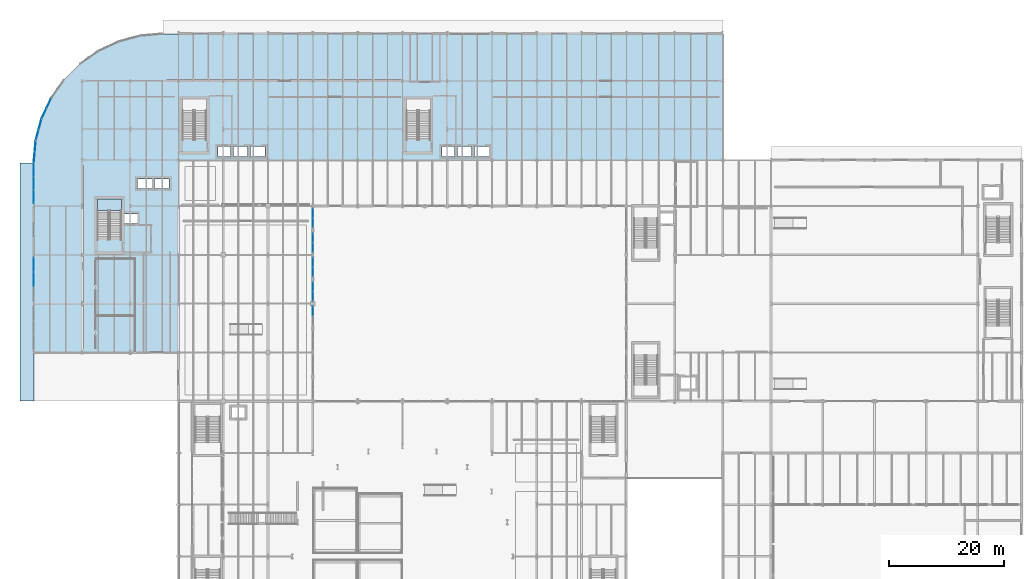
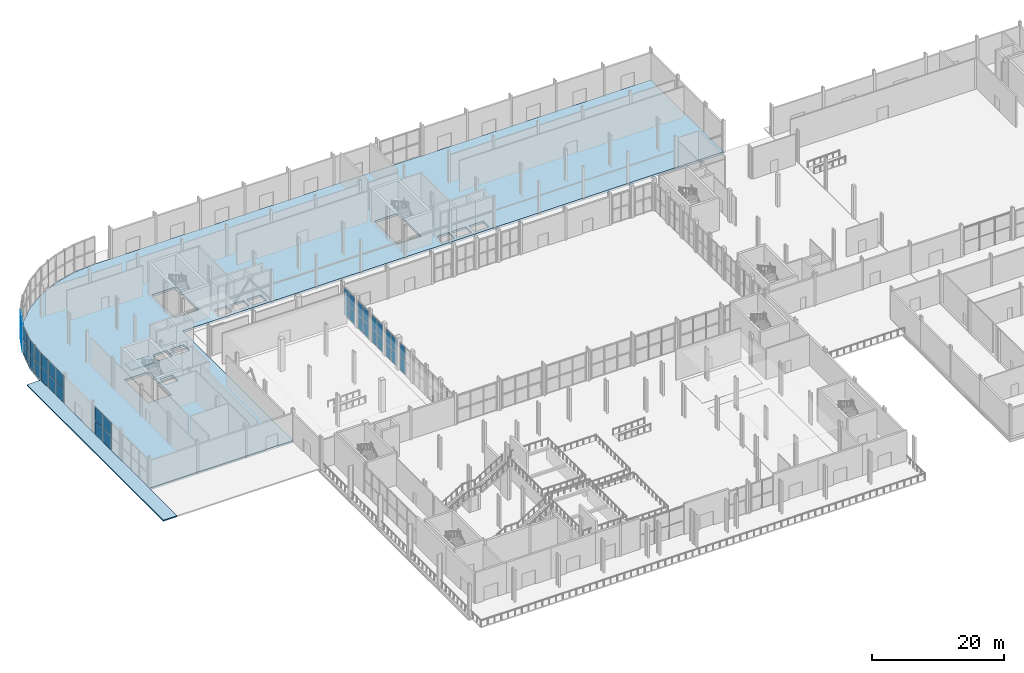
# One storey, part 48 of 84: 40 plates, 3 slabs, 11 elements without a shape of their own.
"""IFC4 building model written with IfcOpenShell, lengths in metres."""

import ifcopenshell
import ifcopenshell.guid

model = None  # the IFC model being written
_history = None  # IfcOwnerHistory: only IFC2X3 demands one
_inside = {}  # id of a spatial element -> (the spatial element, [elements in it])
_under = {}  # id of a project, library or spatial element -> (it, [spatial elements below it])
_declared = {}  # id of a project -> (the project, [libraries it declares])
_typed = {}  # id of a type object -> (the type object, [elements of that type])
_made_of = {}  # id of a material, layer set ... -> (it, [elements and type objects made of it])


def new_model(schema):
    """Start an empty IFC model of exactly this schema.

    Asked for "IFC4X3", IfcOpenShell would pick the latest addendum, in which some entities
    have other attributes; the version numbers below select the first issue.
    IFC2X3 requires an IfcOwnerHistory on every rooted entity: one is made here for all.
    """
    global model, _history
    if schema == "IFC4X3":
        model = ifcopenshell.file(schema_version=(4, 3, 0, 0))
    else:
        model = ifcopenshell.file(schema=schema)
    _inside.clear()
    _under.clear()
    _declared.clear()
    _typed.clear()
    _made_of.clear()
    _history = None
    if model.schema == "IFC2X3":
        org = make("IfcOrganization", Name="unknown")
        user = make(
            "IfcPersonAndOrganization",
            ThePerson=make("IfcPerson", FamilyName="unknown"),
            TheOrganization=org,
        )
        app = make(
            "IfcApplication",
            ApplicationDeveloper=org,
            Version="unknown",
            ApplicationFullName="unknown",
            ApplicationIdentifier="unknown",
        )
        _history = make(
            "IfcOwnerHistory",
            OwningUser=user,
            OwningApplication=app,
            ChangeAction="ADDED",
            CreationDate=0,
        )
    return model


def make(cls, **values):
    """One entity of the class cls with the attributes given. An attribute that is None is left unset."""
    return model.create_entity(
        cls, **{name: value for name, value in values.items() if value is not None}
    )


def rooted(cls, **values):
    """An entity with a GlobalId (a new one), such as an element, a storey or a relation."""
    return make(cls, GlobalId=ifcopenshell.guid.new(), OwnerHistory=_history, **values)


def si_unit(unit_type, name, prefix=None):
    """IfcSIUnit, for example si_unit("LENGTHUNIT", "METRE", prefix="MILLI")."""
    return make("IfcSIUnit", UnitType=unit_type, Prefix=prefix, Name=name)


def assignment(units):
    """IfcUnitAssignment: the units of a project."""
    return None if units is None else make("IfcUnitAssignment", Units=units)


def point(xyz):
    """IfcCartesianPoint."""
    return None if xyz is None else make("IfcCartesianPoint", Coordinates=xyz)


def direction(xyz):
    """IfcDirection."""
    return None if xyz is None else make("IfcDirection", DirectionRatios=xyz)


def frame(location, z_axis=None, x_axis=None):
    """IfcAxis2Placement3D, a coordinate frame: its origin and axes. An axis left out is left unset."""
    return make(
        "IfcAxis2Placement3D",
        Location=point(location),
        Axis=direction(z_axis),
        RefDirection=direction(x_axis),
    )


def frame_2d(location, x_axis=None):
    """IfcAxis2Placement2D, a coordinate frame in the plane: its origin and x axis."""
    return make(
        "IfcAxis2Placement2D", Location=point(location), RefDirection=direction(x_axis)
    )


def origin():
    """The frame at (0, 0, 0) with its axes left unset."""
    return frame((0.0, 0.0, 0.0))


def origin_2d():
    """The frame at (0, 0) in the plane with its x axis left unset."""
    return frame_2d((0.0, 0.0))


def place(relative_to, where):
    """IfcLocalPlacement: puts the frame where relative to a parent placement (None: the world)."""
    return make(
        "IfcLocalPlacement", PlacementRelTo=relative_to, RelativePlacement=where
    )


def context(
    kind, dimensions, precision=None, world=None, true_north=None, identifier=None
):
    """IfcGeometricRepresentationContext, for example the 3D "Model" context."""
    return make(
        "IfcGeometricRepresentationContext",
        ContextIdentifier=identifier,
        ContextType=kind,
        CoordinateSpaceDimension=dimensions,
        Precision=precision,
        WorldCoordinateSystem=world,
        TrueNorth=true_north,
    )


def subcontext(parent, identifier, kind, view, scale=None):
    """IfcGeometricRepresentationSubContext, for example "Body" below "Model"."""
    return make(
        "IfcGeometricRepresentationSubContext",
        ContextIdentifier=identifier,
        ContextType=kind,
        ParentContext=parent,
        TargetScale=scale,
        TargetView=view,
    )


def project(units=None, contexts=None):
    """IfcProject with its units and contexts."""
    return rooted(
        "IfcProject",
        Name="project",
        RepresentationContexts=contexts,
        UnitsInContext=assignment(units),
    )


def spatial(cls, under=None, at=None, **own):
    """A site, building, storey or space (cls), placed at a placement, below another one or the project."""
    s = rooted(cls, ObjectPlacement=at, **own)
    if under is not None:
        _under.setdefault(under.id(), (under, []))[1].append(s)
    return s


def polyline(points):
    """IfcPolyline through the points."""
    return make("IfcPolyline", Points=[point(p) for p in points])


def profile(cls, at=None, kind="AREA", **sizes):
    """A parametric profile (cls). Its sizes go by their IFC names, for example OverallWidth=200.0."""
    return make(cls, ProfileType=kind, Position=at, **sizes)


def rectangle(**sizes):
    """IfcRectangleProfileDef."""
    return profile("IfcRectangleProfileDef", **sizes)


def outline(outer, holes=None, kind="AREA"):
    """IfcArbitraryClosedProfileDef: a profile drawn as a closed curve; with holes, ...WithVoids."""
    if holes is None:
        return make("IfcArbitraryClosedProfileDef", ProfileType=kind, OuterCurve=outer)
    return make(
        "IfcArbitraryProfileDefWithVoids",
        ProfileType=kind,
        OuterCurve=outer,
        InnerCurves=holes,
    )


def extrude(swept, where, along, depth):
    """IfcExtrudedAreaSolid: the profile swept, set in the frame where, extruded along a direction by depth."""
    return make(
        "IfcExtrudedAreaSolid",
        SweptArea=swept,
        Position=where,
        ExtrudedDirection=direction(along),
        Depth=depth,
    )


def shape(context_of_items, identifier, shape_type, items):
    """IfcShapeRepresentation: the items that make up one representation, for example the "Body"."""
    return make(
        "IfcShapeRepresentation",
        ContextOfItems=context_of_items,
        RepresentationIdentifier=identifier,
        RepresentationType=shape_type,
        Items=items,
    )


def material(Name=None, Category=None):
    """IfcMaterial."""
    return make("IfcMaterial", Name=Name, Category=Category)


def layer(
    of_material, thickness, ventilated=None, Name=None, Category=None, Priority=None
):
    """IfcMaterialLayer: one layer of a wall or slab, of a material (None: an air gap)."""
    return make(
        "IfcMaterialLayer",
        Material=of_material,
        LayerThickness=thickness,
        IsVentilated=ventilated,
        Name=Name,
        Category=Category,
        Priority=Priority,
    )


def layer_set(layers, Name=None):
    """IfcMaterialLayerSet."""
    return make("IfcMaterialLayerSet", MaterialLayers=layers, LayerSetName=Name)


def made_of(thing, what):
    """Note that an element or type object is made of a material, layer set ...; save() writes the relation."""
    if what is not None:
        _made_of.setdefault(what.id(), (what, []))[1].append(thing)
    return thing


def type_object(cls, material=None, **own):
    """A type object (cls), such as IfcWallType, which elements share."""
    return made_of(rooted(cls, **own), material)


def element(
    cls,
    number,
    at=None,
    inside=None,
    cuts=None,
    type_object=None,
    material=None,
    context=None,
    identifier="Body",
    shape_type=None,
    held_by="IfcProductDefinitionShape",
    body=None,
    shapes=None,
    **own,
):
    """One element of the class cls, such as IfcWall. Its Tag is "e" and its number.

    at: its placement. inside: the storey or other place that contains it. cuts: it is an
    opening in that element (IfcRelVoidsElement). A single representation is given by context,
    identifier, shape_type and body (its items); several are given by shapes. held_by: the class
    of the entity that holds the representations. save() writes the other relations.
    """
    e = rooted(cls, Tag="e%d" % number, ObjectPlacement=at, **own)
    if body is not None:
        shapes = [shape(context, identifier, shape_type, body)]
    if shapes is not None:
        e.Representation = make(held_by, Representations=shapes)
    if inside is not None:
        _inside.setdefault(inside.id(), (inside, []))[1].append(e)
    if cuts is not None:
        rooted(
            "IfcRelVoidsElement", RelatingBuildingElement=cuts, RelatedOpeningElement=e
        )
    if type_object is not None:
        _typed.setdefault(type_object.id(), (type_object, []))[1].append(e)
    return made_of(e, material)


def aggregate(whole, parts):
    """IfcRelAggregates: a whole, such as a stair, and the parts it consists of."""
    return rooted("IfcRelAggregates", RelatingObject=whole, RelatedObjects=parts)


def save(model, path):
    """Write the relations noted so far, then the file.

    IfcRelAggregates (storeys below a building ...), IfcRelContainedInSpatialStructure (elements
    in a storey), IfcRelDefinesByType, IfcRelAssociatesMaterial and IfcRelDeclares: one each for
    every whole, place, type object, material and project.
    """
    for whole, parts in _under.values():
        aggregate(whole, parts)
    for where, things in _inside.values():
        rooted(
            "IfcRelContainedInSpatialStructure",
            RelatedElements=things,
            RelatingStructure=where,
        )
    for kind, things in _typed.values():
        rooted("IfcRelDefinesByType", RelatedObjects=things, RelatingType=kind)
    for what, things in _made_of.values():
        rooted("IfcRelAssociatesMaterial", RelatedObjects=things, RelatingMaterial=what)
    for by, libraries in _declared.values():
        rooted("IfcRelDeclares", RelatingContext=by, RelatedDefinitions=libraries)
    model.write(path)


model = new_model("IFC4")

# Units and contexts
model_context = context("Model", 3, precision=1e-05, world=origin(), true_north=direction((0.0, 1.0)))
body_context = subcontext(model_context, "Body", "Model", "MODEL_VIEW")
ifc_project = project(units=[si_unit("LENGTHUNIT", "METRE"), si_unit("AREAUNIT", "SQUARE_METRE"), si_unit("VOLUMEUNIT", "CUBIC_METRE"), si_unit("PLANEANGLEUNIT", "RADIAN"), si_unit("MASSUNIT", "GRAM", prefix="KILO")], contexts=[model_context])

# Site, building, storey
site_placement = place(None, origin())
site = spatial("IfcSite", under=ifc_project, at=site_placement, CompositionType="ELEMENT")
building_placement = place(site_placement, origin())
building = spatial("IfcBuilding", under=site, at=building_placement, Name="Sefraquen Railside Congress Hotel", CompositionType="ELEMENT")
storey_placement = place(building_placement, origin())
storey = spatial("IfcBuildingStorey", under=building, at=storey_placement, Name="L00", CompositionType="ELEMENT", Elevation=0.0)

# Curtain wall, plate
ifc_material_1 = material(Name="Thermally broken anodised aluminium and low-E double glazing", Category="aluminium")
ifc_layer_1 = layer(ifc_material_1, 0.199951171875)
ifc_layer_set_1 = layer_set([ifc_layer_1], Name="Thermally broken anodised aluminium and low-E double glazing")
curtain_wall_type_1 = type_object("IfcCurtainWallType", Name="TCW-UCW-17", PredefinedType="USERDEFINED", material=ifc_layer_set_1)
curtain_wall_1_placement = place(storey_placement, origin())
curtain_wall_1 = element("IfcCurtainWall", 1, at=curtain_wall_1_placement, inside=storey, type_object=curtain_wall_type_1, Name="Courtyard west arcade curtain wall UCW-17 bay 2", ObjectType="UNITISED CURTAIN WALL", PredefinedType="USERDEFINED")
ifc_material_2 = material(Name="Solar-control low-E double glazing", Category="glass")
ifc_layer_2 = layer(ifc_material_2, 0.02392578125)
ifc_layer_set_2 = layer_set([ifc_layer_2], Name="Solar-control low-E double glazing")
plate_type_1 = type_object("IfcPlateType", Name="TP-CWP-01", PredefinedType="CURTAIN_PANEL", material=ifc_layer_set_2)
plate_1_placement = place(storey_placement, frame((48.60009765625, 69.7275390625, 0.0400390625), z_axis=(0.0, 0.0, 1.0), x_axis=(0.0, 1.0, 0.0)))
plate_1 = element("IfcPlate", 2, at=plate_1_placement, type_object=plate_type_1, Name="CW-L00-017-S2 panel 1.2", PredefinedType="CURTAIN_PANEL", context=body_context, shape_type="SweptSolid", body=[
    extrude(rectangle(XDim=1.574951171875, YDim=0.02392578125, at=origin_2d()), origin(), (0.0, 0.0, 1.0), 2.4951171875),
])

# Curtain wall, plates
ifc_layer_3 = layer(ifc_material_1, 0.199951171875)
ifc_layer_set_3 = layer_set([ifc_layer_3], Name="Thermally broken anodised aluminium and low-E double glazing")
curtain_wall_type_2 = type_object("IfcCurtainWallType", Name="TCW-UCW-19", PredefinedType="USERDEFINED", material=ifc_layer_set_3)
curtain_wall_2_placement = place(storey_placement, origin())
curtain_wall_2 = element("IfcCurtainWall", 3, at=curtain_wall_2_placement, inside=storey, type_object=curtain_wall_type_2, Name="Courtyard west arcade curtain wall UCW-19", ObjectType="UNITISED CURTAIN WALL", PredefinedType="USERDEFINED")
plate_2_placement = place(storey_placement, frame((48.60009765625, 72.2724609375, 0.0400390625), z_axis=(0.0, 0.0, 1.0), x_axis=(0.0, 1.0, 0.0)))
plate_2 = element("IfcPlate", 4, at=plate_2_placement, type_object=plate_type_1, Name="CW-L00-019 panel 1.1", PredefinedType="CURTAIN_PANEL", context=body_context, shape_type="SweptSolid", body=[
    extrude(rectangle(XDim=1.574951171875, YDim=0.02392578125, at=origin_2d()), origin(), (0.0, 0.0, 1.0), 2.4951171875),
])
plate_3_placement = place(storey_placement, frame((48.60009765625, 73.9375, 0.0400390625), z_axis=(0.0, 0.0, 1.0), x_axis=(0.0, 1.0, 0.0)))
plate_3 = element("IfcPlate", 5, at=plate_3_placement, type_object=plate_type_1, Name="CW-L00-019 panel 1.2", PredefinedType="CURTAIN_PANEL", context=body_context, shape_type="SweptSolid", body=[
    extrude(rectangle(XDim=1.574951171875, YDim=0.02392578125, at=origin_2d()), origin(), (0.0, 0.0, 1.0), 2.4951171875),
])

curtain_wall_3_placement = place(storey_placement, origin())
curtain_wall_3 = element("IfcCurtainWall", 6, at=curtain_wall_3_placement, inside=storey, type_object=curtain_wall_type_2, Name="Courtyard west arcade curtain wall UCW-19 bay 2", ObjectType="UNITISED CURTAIN WALL", PredefinedType="USERDEFINED")
plate_4_placement = place(storey_placement, frame((48.60009765625, 76.5625, 0.0400390625), z_axis=(0.0, 0.0, 1.0), x_axis=(0.0, 1.0, 0.0)))
plate_4 = element("IfcPlate", 7, at=plate_4_placement, type_object=plate_type_1, Name="CW-L00-019-S2 panel 1.1", PredefinedType="CURTAIN_PANEL", context=body_context, shape_type="SweptSolid", body=[
    extrude(rectangle(XDim=1.574951171875, YDim=0.02392578125, at=origin_2d()), origin(), (0.0, 0.0, 1.0), 2.4951171875),
])
plate_5_placement = place(storey_placement, frame((48.60009765625, 78.2275390625, 0.0400390625), z_axis=(0.0, 0.0, 1.0), x_axis=(0.0, 1.0, 0.0)))
plate_5 = element("IfcPlate", 8, at=plate_5_placement, type_object=plate_type_1, Name="CW-L00-019-S2 panel 1.2", PredefinedType="CURTAIN_PANEL", context=body_context, shape_type="SweptSolid", body=[
    extrude(rectangle(XDim=1.574951171875, YDim=0.02392578125, at=origin_2d()), origin(), (0.0, 0.0, 1.0), 2.4951171875),
])

ifc_layer_4 = layer(ifc_material_1, 0.199951171875)
ifc_layer_set_4 = layer_set([ifc_layer_4], Name="Thermally broken anodised aluminium and low-E double glazing")
curtain_wall_type_3 = type_object("IfcCurtainWallType", Name="TCW-UCW-21", PredefinedType="USERDEFINED", material=ifc_layer_set_4)
curtain_wall_4_placement = place(storey_placement, origin())
curtain_wall_4 = element("IfcCurtainWall", 9, at=curtain_wall_4_placement, inside=storey, type_object=curtain_wall_type_3, Name="Courtyard west arcade curtain wall UCW-21", ObjectType="UNITISED CURTAIN WALL", PredefinedType="USERDEFINED")
plate_6_placement = place(storey_placement, frame((48.60009765625, 80.7724609375, 0.0400390625), z_axis=(0.0, 0.0, 1.0), x_axis=(0.0, 1.0, 0.0)))
plate_6 = element("IfcPlate", 10, at=plate_6_placement, type_object=plate_type_1, Name="CW-L00-021 panel 1.1", PredefinedType="CURTAIN_PANEL", context=body_context, shape_type="SweptSolid", body=[
    extrude(rectangle(XDim=1.574951171875, YDim=0.02392578125, at=origin_2d()), origin(), (0.0, 0.0, 1.0), 2.4951171875),
])
plate_7_placement = place(storey_placement, frame((48.60009765625, 82.4375, 0.0400390625), z_axis=(0.0, 0.0, 1.0), x_axis=(0.0, 1.0, 0.0)))
plate_7 = element("IfcPlate", 11, at=plate_7_placement, type_object=plate_type_1, Name="CW-L00-021 panel 1.2", PredefinedType="CURTAIN_PANEL", context=body_context, shape_type="SweptSolid", body=[
    extrude(rectangle(XDim=1.574951171875, YDim=0.02392578125, at=origin_2d()), origin(), (0.0, 0.0, 1.0), 2.4951171875),
])

curtain_wall_5_placement = place(storey_placement, origin())
curtain_wall_5 = element("IfcCurtainWall", 12, at=curtain_wall_5_placement, inside=storey, type_object=curtain_wall_type_3, Name="Courtyard west arcade curtain wall UCW-21 bay 2", ObjectType="UNITISED CURTAIN WALL", PredefinedType="USERDEFINED")
plate_8_placement = place(storey_placement, frame((48.60009765625, 85.0625, 0.0400390625), z_axis=(0.0, 0.0, 1.0), x_axis=(0.0, 1.0, 0.0)))
plate_8 = element("IfcPlate", 13, at=plate_8_placement, type_object=plate_type_1, Name="CW-L00-021-S2 panel 1.1", PredefinedType="CURTAIN_PANEL", context=body_context, shape_type="SweptSolid", body=[
    extrude(rectangle(XDim=1.574951171875, YDim=0.02392578125, at=origin_2d()), origin(), (0.0, 0.0, 1.0), 2.4951171875),
])
plate_9_placement = place(storey_placement, frame((48.60009765625, 86.7275390625, 0.0400390625), z_axis=(0.0, 0.0, 1.0), x_axis=(0.0, 1.0, 0.0)))
plate_9 = element("IfcPlate", 14, at=plate_9_placement, type_object=plate_type_1, Name="CW-L00-021-S2 panel 1.2", PredefinedType="CURTAIN_PANEL", context=body_context, shape_type="SweptSolid", body=[
    extrude(rectangle(XDim=1.574951171875, YDim=0.02392578125, at=origin_2d()), origin(), (0.0, 0.0, 1.0), 2.4951171875),
])

ifc_layer_5 = layer(ifc_material_1, 0.199951171875)
ifc_layer_set_5 = layer_set([ifc_layer_5], Name="Thermally broken anodised aluminium and low-E double glazing")
curtain_wall_type_4 = type_object("IfcCurtainWallType", Name="TCW-UCW-26", PredefinedType="USERDEFINED", material=ifc_layer_set_5)
curtain_wall_6_placement = place(storey_placement, origin())
curtain_wall_6 = element("IfcCurtainWall", 15, at=curtain_wall_6_placement, inside=storey, type_object=curtain_wall_type_4, Name="Hotel West Forecourt curtain wall UCW-26", ObjectType="UNITISED CURTAIN WALL", PredefinedType="USERDEFINED")
plate_10_placement = place(storey_placement, frame((0.0, 75.25, 0.0400390625), z_axis=(0.0, 0.0, 1.0), x_axis=(0.0, 1.0, 0.0)))
plate_10 = element("IfcPlate", 16, at=plate_10_placement, type_object=plate_type_1, Name="CW-L00-026 panel 1.2", PredefinedType="CURTAIN_PANEL", context=body_context, shape_type="SweptSolid", body=[
    extrude(rectangle(XDim=2.449951171875, YDim=0.02392578125, at=origin_2d()), origin(), (0.0, 0.0, 1.0), 2.4951171875),
])
plate_11_placement = place(storey_placement, frame((0.0, 77.7900390625, 0.0400390625), z_axis=(0.0, 0.0, 1.0), x_axis=(0.0, 1.0, 0.0)))
plate_11 = element("IfcPlate", 17, at=plate_11_placement, type_object=plate_type_1, Name="CW-L00-026 panel 1.3", PredefinedType="CURTAIN_PANEL", context=body_context, shape_type="SweptSolid", body=[
    extrude(rectangle(XDim=2.449951171875, YDim=0.02392578125, at=origin_2d()), origin(), (0.0, 0.0, 1.0), 2.4951171875),
])

ifc_layer_6 = layer(ifc_material_1, 0.199951171875)
ifc_layer_set_6 = layer_set([ifc_layer_6], Name="Thermally broken anodised aluminium and low-E double glazing")
curtain_wall_type_5 = type_object("IfcCurtainWallType", Name="TCW-UCW-27", PredefinedType="USERDEFINED", material=ifc_layer_set_6)
curtain_wall_7_placement = place(storey_placement, origin())
curtain_wall_7 = element("IfcCurtainWall", 18, at=curtain_wall_7_placement, inside=storey, type_object=curtain_wall_type_5, Name="Hotel West Forecourt curtain wall UCW-27", ObjectType="UNITISED CURTAIN WALL", PredefinedType="USERDEFINED")
plate_12_placement = place(storey_placement, frame((0.0, 89.610107421875, 0.0400390625), z_axis=(0.0, 0.0, 1.0), x_axis=(0.0, 1.0, 0.0)))
plate_12 = element("IfcPlate", 19, at=plate_12_placement, type_object=plate_type_1, Name="CW-L00-027 panel 1.1", PredefinedType="CURTAIN_PANEL", context=body_context, shape_type="SweptSolid", body=[
    extrude(rectangle(XDim=2.25, YDim=0.02392578125, at=origin_2d()), origin(), (0.0, 0.0, 1.0), 2.4951171875),
])
plate_13_placement = place(storey_placement, frame((0.0, 91.949951171875, 0.0400390625), z_axis=(0.0, 0.0, 1.0), x_axis=(0.0, 1.0, 0.0)))
plate_13 = element("IfcPlate", 20, at=plate_13_placement, type_object=plate_type_1, Name="CW-L00-027 panel 1.2", PredefinedType="CURTAIN_PANEL", context=body_context, shape_type="SweptSolid", body=[
    extrude(rectangle(XDim=2.25, YDim=0.02392578125, at=origin_2d()), origin(), (0.0, 0.0, 1.0), 2.4951171875),
])
plate_14_placement = place(storey_placement, frame((0.0, 94.2900390625, 0.0400390625), z_axis=(0.0, 0.0, 1.0), x_axis=(0.0, 1.0, 0.0)))
plate_14 = element("IfcPlate", 21, at=plate_14_placement, type_object=plate_type_1, Name="CW-L00-027 panel 1.3", PredefinedType="CURTAIN_PANEL", context=body_context, shape_type="SweptSolid", body=[
    extrude(rectangle(XDim=2.25, YDim=0.02392578125, at=origin_2d()), origin(), (0.0, 0.0, 1.0), 2.4951171875),
])

ifc_layer_7 = layer(ifc_material_1, 0.199951171875)
ifc_layer_set_7 = layer_set([ifc_layer_7], Name="Thermally broken anodised aluminium and low-E double glazing")
curtain_wall_type_6 = type_object("IfcCurtainWallType", Name="TCW-UCW-02", PredefinedType="USERDEFINED", material=ifc_layer_set_7)
curtain_wall_8_placement = place(storey_placement, origin())
curtain_wall_8 = element("IfcCurtainWall", 22, at=curtain_wall_8_placement, inside=storey, type_object=curtain_wall_type_6, Name="Rotunda L00 curved curtain wall facet 7", ObjectType="UNITISED CURTAIN WALL", PredefinedType="USERDEFINED")
plate_15_placement = place(storey_placement, frame((2.591552734375, 105.84326171875, 0.0400390625), z_axis=(0.0, 0.0, 1.0), x_axis=(-0.422634079731, -0.906300410818, 0.0)))
plate_15 = element("IfcPlate", 23, at=plate_15_placement, type_object=plate_type_1, Name="CW-L00-ROT-07 panel 1.1", PredefinedType="CURTAIN_PANEL", context=body_context, shape_type="SweptSolid", body=[
    extrude(rectangle(XDim=1.830810546875, YDim=0.02392578125, at=origin_2d()), origin(), (0.0, 0.0, 1.0), 2.4951171875),
])
plate_16_placement = place(storey_placement, frame((1.77978515625, 104.102294921875, 0.0400390625), z_axis=(0.0, 0.0, 1.0), x_axis=(-0.422634079731, -0.906300410818, 0.0)))
plate_16 = element("IfcPlate", 24, at=plate_16_placement, type_object=plate_type_1, Name="CW-L00-ROT-07 panel 1.2", PredefinedType="CURTAIN_PANEL", context=body_context, shape_type="SweptSolid", body=[
    extrude(rectangle(XDim=1.830810546875, YDim=0.02392578125, at=origin_2d()), origin(), (0.0, 0.0, 1.0), 2.4951171875),
])

ifc_layer_8 = layer(ifc_material_1, 0.199951171875)
ifc_layer_set_8 = layer_set([ifc_layer_8], Name="Thermally broken anodised aluminium and low-E double glazing")
curtain_wall_type_7 = type_object("IfcCurtainWallType", Name="TCW-UCW-03", PredefinedType="USERDEFINED", material=ifc_layer_set_8)
curtain_wall_9_placement = place(storey_placement, origin())
curtain_wall_9 = element("IfcCurtainWall", 25, at=curtain_wall_9_placement, inside=storey, type_object=curtain_wall_type_7, Name="Rotunda L00 curved curtain wall facet 8", ObjectType="UNITISED CURTAIN WALL", PredefinedType="USERDEFINED")
plate_17_placement = place(storey_placement, frame((1.097900390625, 102.22900390625, 0.0400390625), z_axis=(0.0, 0.0, 1.0), x_axis=(-0.258785327773, -0.96593486019, 0.0)))
plate_17 = element("IfcPlate", 26, at=plate_17_placement, type_object=plate_type_1, Name="CW-L00-ROT-08 panel 1.1", PredefinedType="CURTAIN_PANEL", context=body_context, shape_type="SweptSolid", body=[
    extrude(rectangle(XDim=1.8310546875, YDim=0.02392578125, at=origin_2d()), origin(), (0.0, 0.0, 1.0), 2.4951171875),
])
plate_18_placement = place(storey_placement, frame((0.6005859375, 100.37353515625, 0.0400390625), z_axis=(0.0, 0.0, 1.0), x_axis=(-0.258785327773, -0.96593486019, 0.0)))
plate_18 = element("IfcPlate", 27, at=plate_18_placement, type_object=plate_type_1, Name="CW-L00-ROT-08 panel 1.2", PredefinedType="CURTAIN_PANEL", context=body_context, shape_type="SweptSolid", body=[
    extrude(rectangle(XDim=1.8310546875, YDim=0.02392578125, at=origin_2d()), origin(), (0.0, 0.0, 1.0), 2.4951171875),
])

ifc_layer_9 = layer(ifc_material_1, 0.199951171875)
ifc_layer_set_9 = layer_set([ifc_layer_9], Name="Thermally broken anodised aluminium and low-E double glazing")
curtain_wall_type_8 = type_object("IfcCurtainWallType", Name="TCW-UCW-04", PredefinedType="USERDEFINED", material=ifc_layer_set_9)
curtain_wall_10_placement = place(storey_placement, origin())
curtain_wall_10 = element("IfcCurtainWall", 28, at=curtain_wall_10_placement, inside=storey, type_object=curtain_wall_type_8, Name="Rotunda L00 curved curtain wall facet 9", ObjectType="UNITISED CURTAIN WALL", PredefinedType="USERDEFINED")
plate_19_placement = place(storey_placement, frame((0.254638671875, 98.410400390625, 0.0400390625), z_axis=(0.0, 0.0, 1.0), x_axis=(-0.087138355857, -0.996196219095, 0.0)))
plate_19 = element("IfcPlate", 29, at=plate_19_placement, type_object=plate_type_1, Name="CW-L00-ROT-09 panel 1.1", PredefinedType="CURTAIN_PANEL", context=body_context, shape_type="SweptSolid", body=[
    extrude(rectangle(XDim=1.8310546875, YDim=0.02392578125, at=origin_2d()), origin(), (0.0, 0.0, 1.0), 2.4951171875),
])
plate_20_placement = place(storey_placement, frame((0.087158203125, 96.49658203125, 0.0400390625), z_axis=(0.0, 0.0, 1.0), x_axis=(-0.087138355857, -0.996196219095, 0.0)))
plate_20 = element("IfcPlate", 30, at=plate_20_placement, type_object=plate_type_1, Name="CW-L00-ROT-09 panel 1.2", PredefinedType="CURTAIN_PANEL", context=body_context, shape_type="SweptSolid", body=[
    extrude(rectangle(XDim=1.8310546875, YDim=0.02392578125, at=origin_2d()), origin(), (0.0, 0.0, 1.0), 2.4951171875),
])

# Plate
ifc_material_3 = material(Name="Triple acoustic solar-control glazing", Category="glass")
ifc_layer_10 = layer(ifc_material_3, 0.031982421875)
ifc_layer_set_10 = layer_set([ifc_layer_10], Name="Triple acoustic solar-control glazing")
plate_type_2 = type_object("IfcPlateType", Name="TP-CWP-02", PredefinedType="CURTAIN_PANEL", material=ifc_layer_set_10)
plate_21_placement = place(storey_placement, frame((48.60009765625, 69.7275390625, 2.614990234375), z_axis=(0.0, 0.0, 1.0), x_axis=(0.0, 1.0, 0.0)))
plate_21 = element("IfcPlate", 31, at=plate_21_placement, type_object=plate_type_2, Name="CW-L00-017-S2 panel 2.2", PredefinedType="CURTAIN_PANEL", context=body_context, shape_type="SweptSolid", body=[
    extrude(rectangle(XDim=1.574951171875, YDim=0.031982421875, at=origin_2d()), origin(), (0.0, 0.0, 1.0), 2.4951171875),
])

aggregate(curtain_wall_1, [plate_1, plate_21])

plate_22_placement = place(storey_placement, frame((48.60009765625, 72.2724609375, 2.614990234375), z_axis=(0.0, 0.0, 1.0), x_axis=(0.0, 1.0, 0.0)))
plate_22 = element("IfcPlate", 32, at=plate_22_placement, type_object=plate_type_2, Name="CW-L00-019 panel 2.1", PredefinedType="CURTAIN_PANEL", context=body_context, shape_type="SweptSolid", body=[
    extrude(rectangle(XDim=1.574951171875, YDim=0.031982421875, at=origin_2d()), origin(), (0.0, 0.0, 1.0), 2.4951171875),
])

plate_23_placement = place(storey_placement, frame((48.60009765625, 73.9375, 2.614990234375), z_axis=(0.0, 0.0, 1.0), x_axis=(0.0, 1.0, 0.0)))
plate_23 = element("IfcPlate", 33, at=plate_23_placement, type_object=plate_type_2, Name="CW-L00-019 panel 2.2", PredefinedType="CURTAIN_PANEL", context=body_context, shape_type="SweptSolid", body=[
    extrude(rectangle(XDim=1.574951171875, YDim=0.031982421875, at=origin_2d()), origin(), (0.0, 0.0, 1.0), 2.4951171875),
])

aggregate(curtain_wall_2, [plate_2, plate_3, plate_22, plate_23])

plate_24_placement = place(storey_placement, frame((48.60009765625, 76.5625, 2.614990234375), z_axis=(0.0, 0.0, 1.0), x_axis=(0.0, 1.0, 0.0)))
plate_24 = element("IfcPlate", 34, at=plate_24_placement, type_object=plate_type_2, Name="CW-L00-019-S2 panel 2.1", PredefinedType="CURTAIN_PANEL", context=body_context, shape_type="SweptSolid", body=[
    extrude(rectangle(XDim=1.574951171875, YDim=0.031982421875, at=origin_2d()), origin(), (0.0, 0.0, 1.0), 2.4951171875),
])

plate_25_placement = place(storey_placement, frame((48.60009765625, 78.2275390625, 2.614990234375), z_axis=(0.0, 0.0, 1.0), x_axis=(0.0, 1.0, 0.0)))
plate_25 = element("IfcPlate", 35, at=plate_25_placement, type_object=plate_type_2, Name="CW-L00-019-S2 panel 2.2", PredefinedType="CURTAIN_PANEL", context=body_context, shape_type="SweptSolid", body=[
    extrude(rectangle(XDim=1.574951171875, YDim=0.031982421875, at=origin_2d()), origin(), (0.0, 0.0, 1.0), 2.4951171875),
])

aggregate(curtain_wall_3, [plate_4, plate_5, plate_24, plate_25])

plate_26_placement = place(storey_placement, frame((48.60009765625, 80.7724609375, 2.614990234375), z_axis=(0.0, 0.0, 1.0), x_axis=(0.0, 1.0, 0.0)))
plate_26 = element("IfcPlate", 36, at=plate_26_placement, type_object=plate_type_2, Name="CW-L00-021 panel 2.1", PredefinedType="CURTAIN_PANEL", context=body_context, shape_type="SweptSolid", body=[
    extrude(rectangle(XDim=1.574951171875, YDim=0.031982421875, at=origin_2d()), origin(), (0.0, 0.0, 1.0), 2.4951171875),
])

plate_27_placement = place(storey_placement, frame((48.60009765625, 82.4375, 2.614990234375), z_axis=(0.0, 0.0, 1.0), x_axis=(0.0, 1.0, 0.0)))
plate_27 = element("IfcPlate", 37, at=plate_27_placement, type_object=plate_type_2, Name="CW-L00-021 panel 2.2", PredefinedType="CURTAIN_PANEL", context=body_context, shape_type="SweptSolid", body=[
    extrude(rectangle(XDim=1.574951171875, YDim=0.031982421875, at=origin_2d()), origin(), (0.0, 0.0, 1.0), 2.4951171875),
])

aggregate(curtain_wall_4, [plate_6, plate_7, plate_26, plate_27])

plate_28_placement = place(storey_placement, frame((48.60009765625, 85.0625, 2.614990234375), z_axis=(0.0, 0.0, 1.0), x_axis=(0.0, 1.0, 0.0)))
plate_28 = element("IfcPlate", 38, at=plate_28_placement, type_object=plate_type_2, Name="CW-L00-021-S2 panel 2.1", PredefinedType="CURTAIN_PANEL", context=body_context, shape_type="SweptSolid", body=[
    extrude(rectangle(XDim=1.574951171875, YDim=0.031982421875, at=origin_2d()), origin(), (0.0, 0.0, 1.0), 2.4951171875),
])

plate_29_placement = place(storey_placement, frame((48.60009765625, 86.7275390625, 2.614990234375), z_axis=(0.0, 0.0, 1.0), x_axis=(0.0, 1.0, 0.0)))
plate_29 = element("IfcPlate", 39, at=plate_29_placement, type_object=plate_type_2, Name="CW-L00-021-S2 panel 2.2", PredefinedType="CURTAIN_PANEL", context=body_context, shape_type="SweptSolid", body=[
    extrude(rectangle(XDim=1.574951171875, YDim=0.031982421875, at=origin_2d()), origin(), (0.0, 0.0, 1.0), 2.4951171875),
])

aggregate(curtain_wall_5, [plate_8, plate_9, plate_28, plate_29])

plate_30_placement = place(storey_placement, frame((0.0, 75.25, 2.614990234375), z_axis=(0.0, 0.0, 1.0), x_axis=(0.0, 1.0, 0.0)))
plate_30 = element("IfcPlate", 40, at=plate_30_placement, type_object=plate_type_2, Name="CW-L00-026 panel 2.2", PredefinedType="CURTAIN_PANEL", context=body_context, shape_type="SweptSolid", body=[
    extrude(rectangle(XDim=2.449951171875, YDim=0.031982421875, at=origin_2d()), origin(), (0.0, 0.0, 1.0), 2.4951171875),
])

plate_31_placement = place(storey_placement, frame((0.0, 77.7900390625, 2.614990234375), z_axis=(0.0, 0.0, 1.0), x_axis=(0.0, 1.0, 0.0)))
plate_31 = element("IfcPlate", 41, at=plate_31_placement, type_object=plate_type_2, Name="CW-L00-026 panel 2.3", PredefinedType="CURTAIN_PANEL", context=body_context, shape_type="SweptSolid", body=[
    extrude(rectangle(XDim=2.449951171875, YDim=0.031982421875, at=origin_2d()), origin(), (0.0, 0.0, 1.0), 2.4951171875),
])

aggregate(curtain_wall_6, [plate_10, plate_11, plate_30, plate_31])

plate_32_placement = place(storey_placement, frame((0.0, 89.610107421875, 2.614990234375), z_axis=(0.0, 0.0, 1.0), x_axis=(0.0, 1.0, 0.0)))
plate_32 = element("IfcPlate", 42, at=plate_32_placement, type_object=plate_type_2, Name="CW-L00-027 panel 2.1", PredefinedType="CURTAIN_PANEL", context=body_context, shape_type="SweptSolid", body=[
    extrude(rectangle(XDim=2.25, YDim=0.031982421875, at=origin_2d()), origin(), (0.0, 0.0, 1.0), 2.4951171875),
])

plate_33_placement = place(storey_placement, frame((0.0, 91.949951171875, 2.614990234375), z_axis=(0.0, 0.0, 1.0), x_axis=(0.0, 1.0, 0.0)))
plate_33 = element("IfcPlate", 43, at=plate_33_placement, type_object=plate_type_2, Name="CW-L00-027 panel 2.2", PredefinedType="CURTAIN_PANEL", context=body_context, shape_type="SweptSolid", body=[
    extrude(rectangle(XDim=2.25, YDim=0.031982421875, at=origin_2d()), origin(), (0.0, 0.0, 1.0), 2.4951171875),
])

plate_34_placement = place(storey_placement, frame((0.0, 94.2900390625, 2.614990234375), z_axis=(0.0, 0.0, 1.0), x_axis=(0.0, 1.0, 0.0)))
plate_34 = element("IfcPlate", 44, at=plate_34_placement, type_object=plate_type_2, Name="CW-L00-027 panel 2.3", PredefinedType="CURTAIN_PANEL", context=body_context, shape_type="SweptSolid", body=[
    extrude(rectangle(XDim=2.25, YDim=0.031982421875, at=origin_2d()), origin(), (0.0, 0.0, 1.0), 2.4951171875),
])

aggregate(curtain_wall_7, [plate_12, plate_13, plate_14, plate_32, plate_33, plate_34])

plate_35_placement = place(storey_placement, frame((2.591552734375, 105.84326171875, 2.614990234375), z_axis=(0.0, 0.0, 1.0), x_axis=(-0.422634079731, -0.906300410818, 0.0)))
plate_35 = element("IfcPlate", 45, at=plate_35_placement, type_object=plate_type_2, Name="CW-L00-ROT-07 panel 2.1", PredefinedType="CURTAIN_PANEL", context=body_context, shape_type="SweptSolid", body=[
    extrude(rectangle(XDim=1.830810546875, YDim=0.031982421875, at=origin_2d()), origin(), (0.0, 0.0, 1.0), 2.4951171875),
])

plate_36_placement = place(storey_placement, frame((1.77978515625, 104.102294921875, 2.614990234375), z_axis=(0.0, 0.0, 1.0), x_axis=(-0.422634079731, -0.906300410818, 0.0)))
plate_36 = element("IfcPlate", 46, at=plate_36_placement, type_object=plate_type_2, Name="CW-L00-ROT-07 panel 2.2", PredefinedType="CURTAIN_PANEL", context=body_context, shape_type="SweptSolid", body=[
    extrude(rectangle(XDim=1.830810546875, YDim=0.031982421875, at=origin_2d()), origin(), (0.0, 0.0, 1.0), 2.4951171875),
])

aggregate(curtain_wall_8, [plate_15, plate_16, plate_35, plate_36])

plate_37_placement = place(storey_placement, frame((1.097900390625, 102.22900390625, 2.614990234375), z_axis=(0.0, 0.0, 1.0), x_axis=(-0.258785327773, -0.96593486019, 0.0)))
plate_37 = element("IfcPlate", 47, at=plate_37_placement, type_object=plate_type_2, Name="CW-L00-ROT-08 panel 2.1", PredefinedType="CURTAIN_PANEL", context=body_context, shape_type="SweptSolid", body=[
    extrude(rectangle(XDim=1.8310546875, YDim=0.031982421875, at=origin_2d()), origin(), (0.0, 0.0, 1.0), 2.4951171875),
])

plate_38_placement = place(storey_placement, frame((0.6005859375, 100.37353515625, 2.614990234375), z_axis=(0.0, 0.0, 1.0), x_axis=(-0.258785327773, -0.96593486019, 0.0)))
plate_38 = element("IfcPlate", 48, at=plate_38_placement, type_object=plate_type_2, Name="CW-L00-ROT-08 panel 2.2", PredefinedType="CURTAIN_PANEL", context=body_context, shape_type="SweptSolid", body=[
    extrude(rectangle(XDim=1.8310546875, YDim=0.031982421875, at=origin_2d()), origin(), (0.0, 0.0, 1.0), 2.4951171875),
])

aggregate(curtain_wall_9, [plate_17, plate_18, plate_37, plate_38])

plate_39_placement = place(storey_placement, frame((0.254638671875, 98.410400390625, 2.614990234375), z_axis=(0.0, 0.0, 1.0), x_axis=(-0.087138355857, -0.996196219095, 0.0)))
plate_39 = element("IfcPlate", 49, at=plate_39_placement, type_object=plate_type_2, Name="CW-L00-ROT-09 panel 2.1", PredefinedType="CURTAIN_PANEL", context=body_context, shape_type="SweptSolid", body=[
    extrude(rectangle(XDim=1.8310546875, YDim=0.031982421875, at=origin_2d()), origin(), (0.0, 0.0, 1.0), 2.4951171875),
])

plate_40_placement = place(storey_placement, frame((0.087158203125, 96.49658203125, 2.614990234375), z_axis=(0.0, 0.0, 1.0), x_axis=(-0.087138355857, -0.996196219095, 0.0)))
plate_40 = element("IfcPlate", 50, at=plate_40_placement, type_object=plate_type_2, Name="CW-L00-ROT-09 panel 2.2", PredefinedType="CURTAIN_PANEL", context=body_context, shape_type="SweptSolid", body=[
    extrude(rectangle(XDim=1.8310546875, YDim=0.031982421875, at=origin_2d()), origin(), (0.0, 0.0, 1.0), 2.4951171875),
])

aggregate(curtain_wall_10, [plate_19, plate_20, plate_39, plate_40])

# Slabs
ifc_material_4 = material(Name="Concrete C40/50", Category="concrete")
ifc_layer_11 = layer(ifc_material_4, 0.219970703125)
ifc_layer_set_11 = layer_set([ifc_layer_11], Name="Concrete C40/50")
slab_type_1 = type_object("IfcSlabType", Name="TS-FS-220", PredefinedType="FLOOR", material=ifc_layer_set_11)
slab_1_placement = place(storey_placement, frame((0.0, 0.0, -0.219970703125)))
element("IfcSlab", 51, at=slab_1_placement, inside=storey, type_object=slab_type_1, Name="West forecourt entrance promenade paving", ObjectType="PAVING", PredefinedType="USERDEFINED", context=body_context, shape_type="SweptSolid", body=[
    extrude(outline(polyline([(-2.39990234375, 54.050048828125), (0.0, 54.050048828125), (0.0, 95.5), (-2.39990234375, 95.5), (-2.39990234375, 54.050048828125)])), origin(), (0.0, 0.0, 1.0), 0.219970703125),
])
ifc_layer_12 = layer(ifc_material_4, 0.39990234375)
ifc_layer_set_12 = layer_set([ifc_layer_12], Name="Concrete C40/50")
slab_type_2 = type_object("IfcSlabType", Name="TS-FS-400", PredefinedType="FLOOR", material=ifc_layer_set_12)
slab_2_placement = place(storey_placement, frame((0.0, 0.0, -0.39990234375)))
element("IfcSlab", 52, at=slab_2_placement, inside=storey, type_object=slab_type_2, Name="Hotel Wing L00 arrival floor slab", PredefinedType="FLOOR", context=body_context, shape_type="SweptSolid", body=[
    extrude(outline(polyline([(0.0, 62.5), (25.199951171875, 62.5), (25.199951171875, 96.0), (120.0, 96.0), (120.0, 118.0), (22.5, 118.0), (18.593017578125, 117.658203125), (14.804443359375, 116.64306640625), (11.25, 114.985595703125), (8.037353515625, 112.736083984375), (5.263916015625, 109.962646484375), (3.014404296875, 106.75), (1.35693359375, 103.195556640625), (0.341796875, 99.406982421875), (0.0, 95.5), (0.0, 62.5)]), holes=[polyline([(11.10009765625, 82.219970703125), (15.260009765625, 82.219970703125), (15.260009765625, 89.2119140625), (11.10009765625, 89.2119140625), (11.10009765625, 82.219970703125)]), polyline([(25.89990234375, 99.6201171875), (30.06005859375, 99.6201171875), (30.06005859375, 106.612060546875), (25.89990234375, 106.612060546875), (25.89990234375, 99.6201171875)]), polyline([(64.89990234375, 99.6201171875), (69.06005859375, 99.6201171875), (69.06005859375, 106.612060546875), (64.89990234375, 106.612060546875), (64.89990234375, 99.6201171875)]), polyline([(15.830078125, 84.949951171875), (18.030029296875, 84.949951171875), (18.030029296875, 86.64990234375), (15.830078125, 86.64990234375), (15.830078125, 84.949951171875)]), polyline([(32.06005859375, 96.64990234375), (34.260009765625, 96.64990234375), (34.260009765625, 98.35009765625), (32.06005859375, 98.35009765625), (32.06005859375, 96.64990234375)]), polyline([(71.06005859375, 96.64990234375), (73.260009765625, 96.64990234375), (73.260009765625, 98.35009765625), (71.06005859375, 98.35009765625), (71.06005859375, 96.64990234375)]), polyline([(18.050048828125, 91.050048828125), (20.550048828125, 91.050048828125), (20.550048828125, 92.75), (18.050048828125, 92.75), (18.050048828125, 91.050048828125)]), polyline([(21.0400390625, 91.050048828125), (23.5400390625, 91.050048828125), (23.5400390625, 92.75), (21.0400390625, 92.75), (21.0400390625, 91.050048828125)]), polyline([(34.75, 96.64990234375), (37.25, 96.64990234375), (37.25, 98.35009765625), (34.75, 98.35009765625), (34.75, 96.64990234375)]), polyline([(37.739990234375, 96.64990234375), (40.239990234375, 96.64990234375), (40.239990234375, 98.35009765625), (37.739990234375, 98.35009765625), (37.739990234375, 96.64990234375)]), polyline([(73.75, 96.64990234375), (76.25, 96.64990234375), (76.25, 98.35009765625), (73.75, 98.35009765625), (73.75, 96.64990234375)]), polyline([(76.739990234375, 96.64990234375), (79.239990234375, 96.64990234375), (79.239990234375, 98.35009765625), (76.739990234375, 98.35009765625), (76.739990234375, 96.64990234375)])]), origin(), (0.0, 0.0, 1.0), 0.39990234375),
])

# Stair, slab
stair_type = type_object("IfcStairType", Name="TST-DOG-198-360", PredefinedType="HALF_TURN_STAIR", material=ifc_material_4)
stair_placement = place(storey_placement, origin())
stair = element("IfcStair", 53, at=stair_placement, inside=storey, type_object=stair_type, Name="L00 Pressurized escape stair ST-H01", PredefinedType="HALF_TURN_STAIR")
ifc_layer_13 = layer(ifc_material_4, 0.199951171875)
ifc_layer_set_13 = layer_set([ifc_layer_13], Name="Concrete C40/50")
slab_type_3 = type_object("IfcSlabType", Name="TS-LD-200", PredefinedType="LANDING", material=ifc_layer_set_13)
slab_3_placement = place(storey_placement, frame((0.0, 0.0, 2.800048828125)))
slab_3 = element("IfcSlab", 54, at=slab_3_placement, type_object=slab_type_3, Name="ST-H01 landing 1", PredefinedType="LANDING", context=body_context, shape_type="SweptSolid", body=[
    extrude(outline(polyline([(15.260009765625, 87.23193359375), (15.260009765625, 89.2119140625), (11.10009765625, 89.2119140625), (11.10009765625, 87.23193359375), (15.260009765625, 87.23193359375)])), origin(), (0.0, 0.0, 1.0), 0.199951171875),
])
aggregate(stair, [slab_3])

save(model, "model.ifc")
